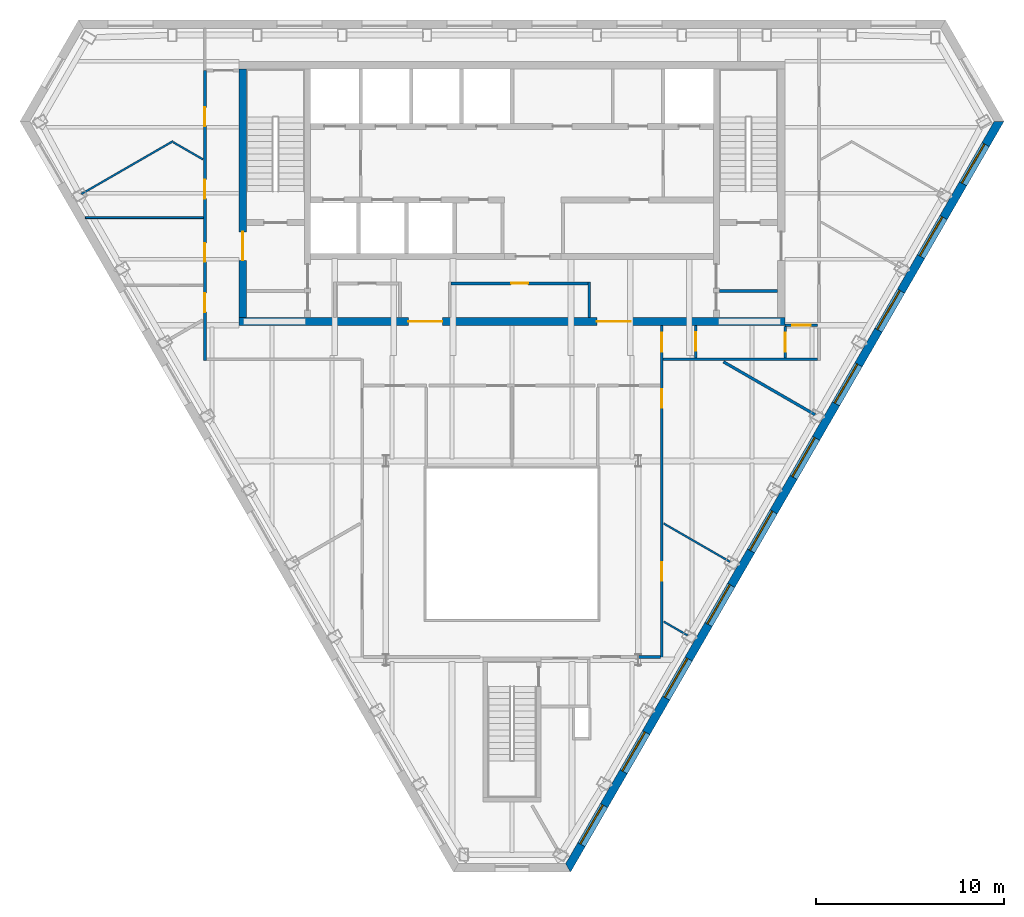
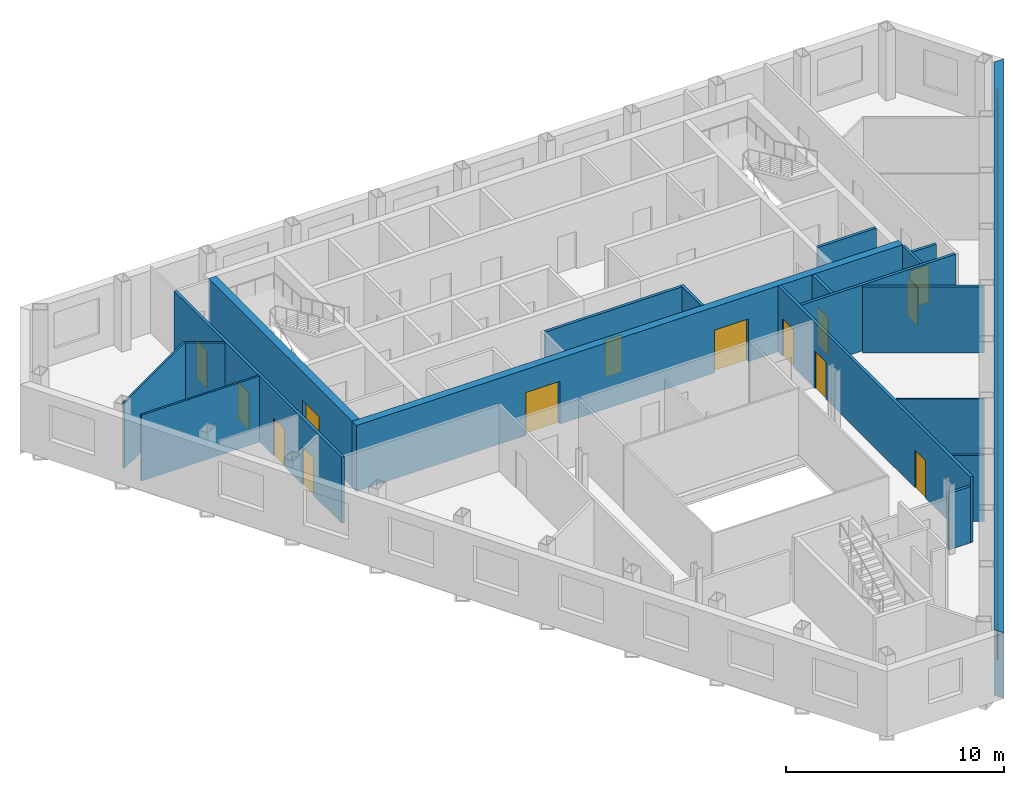
# One storey, part 5 of 10: 19 walls, 14 doors, 10 windows, 24 openings.
"""IFC4 building model written with IfcOpenShell, lengths in metres."""

from ifc_helpers import new_model, si_unit, direction, frame, frame_2d, origin, place, context, subcontext, project, spatial, polyline, rectangle, outline, extrude, material, layer, layer_set, type_object, element, fill, save


model = new_model("IFC4")

# Units and contexts
model_context = context("Model", 3, precision=1e-05, world=origin(), true_north=direction((0.0, 1.0)))
body_context = subcontext(model_context, "Body", "Model", "MODEL_VIEW")
ifc_project = project(units=[si_unit("LENGTHUNIT", "METRE"), si_unit("AREAUNIT", "SQUARE_METRE"), si_unit("VOLUMEUNIT", "CUBIC_METRE"), si_unit("PLANEANGLEUNIT", "RADIAN"), si_unit("MASSUNIT", "GRAM", prefix="KILO")], contexts=[model_context])

# Site, building, storey
site_placement = place(None, origin())
site = spatial("IfcSite", under=ifc_project, at=site_placement, CompositionType="ELEMENT")
building_placement = place(site_placement, origin())
building = spatial("IfcBuilding", under=site, at=building_placement, Name="Njiva Tower", CompositionType="ELEMENT")
storey_placement = place(building_placement, frame((0.0, 0.0, 245.4)))
storey = spatial("IfcBuildingStorey", under=building, at=storey_placement, Name="L55", CompositionType="ELEMENT", Elevation=245.4)

# Walls
ifc_material_1 = material(Name="Blockwork", Category="masonry")
ifc_layer_1 = layer(ifc_material_1, 0.15)
ifc_layer_set_1 = layer_set([ifc_layer_1], Name="Blockwork")
wall_type_1 = type_object("IfcWallType", Name="WT1 Compartment partition 150", PredefinedType="PARTITIONING", material=ifc_layer_set_1)
wall_1_placement = place(storey_placement, frame((11.0, 5.825, 0.0), z_axis=(0.0, 0.0, 1.0), x_axis=(1.0, 0.0, 0.0)))
element("IfcWall", 1, at=wall_1_placement, inside=storey, type_object=wall_type_1, Name="Room wall B", PredefinedType="PARTITIONING", context=body_context, shape_type="SweptSolid", body=[
    extrude(rectangle(XDim=3.1, YDim=0.15, at=frame_2d((1.55, 0.0))), origin(), (0.0, 0.0, 1.0), 3.7),
])
wall_2_placement = place(storey_placement, frame((4.1, 4.4, 0.0), z_axis=(0.0, 0.0, 1.0), x_axis=(0.0, 1.0, 0.0)))
element("IfcWall", 2, at=wall_2_placement, inside=storey, type_object=wall_type_1, Name="Parcel room wall east", PredefinedType="PARTITIONING", context=body_context, shape_type="SweptSolid", body=[
    extrude(rectangle(XDim=1.895, YDim=0.15, at=frame_2d((0.9475, 0.0))), origin(), (0.0, 0.0, 1.0), 3.7),
])

# Wall, opening, door
wall_3_placement = place(storey_placement, frame((-3.225, 6.22, 0.0), z_axis=(0.0, 0.0, 1.0), x_axis=(1.0, 0.0, 0.0)))
wall_3 = element("IfcWall", 3, at=wall_3_placement, inside=storey, type_object=wall_type_1, Name="Parcel room wall north", PredefinedType="PARTITIONING", context=body_context, shape_type="SweptSolid", body=[
    extrude(rectangle(XDim=7.25, YDim=0.15, at=frame_2d((3.625, 0.0))), origin(), (0.0, 0.0, 1.0), 3.7),
])
opening_1_placement = place(wall_3_placement, frame((3.175, 0.0, 0.0)))
opening_1 = element("IfcOpeningElement", 4, at=opening_1_placement, cuts=wall_3, Name="Opening S18-D924", PredefinedType="OPENING", context=body_context, shape_type="SweptSolid", body=[
    extrude(rectangle(XDim=0.9, YDim=2.1, at=frame_2d((0.45, 1.05))), frame((0.0, 0.085, 0.0), z_axis=(0.0, -1.0, 0.0), x_axis=(1.0, 0.0, 0.0)), (0.0, 0.0, 1.0), 0.17),
])
ifc_material_2 = material(Name="Steel fire door, painted", Category="steel")
door_type_1 = type_object("IfcDoorType", Name="D6 Fire-rated door 900x2100", OperationType="SINGLE_SWING_LEFT", PredefinedType="DOOR", material=ifc_material_2)
door_1_placement = place(opening_1_placement, origin())
door_1 = element("IfcDoor", 5, at=door_1_placement, inside=storey, type_object=door_type_1, Name="Parcel room door", OperationType="SINGLE_SWING_LEFT", OverallHeight=2.1, OverallWidth=0.9, PredefinedType="DOOR", context=body_context, shape_type="SweptSolid", body=[
    extrude(rectangle(XDim=0.9, YDim=2.1, at=frame_2d((0.45, 1.05))), frame((0.0, 0.025, 0.0), z_axis=(0.0, -1.0, 0.0), x_axis=(1.0, 0.0, 0.0)), (0.0, 0.0, 1.0), 0.05),
])
fill(opening_1, door_1)

# Wall, openings, doors
ifc_material_3 = material(Name="Concrete C60/75", Category="concrete")
ifc_layer_2 = layer(ifc_material_3, 0.4)
ifc_layer_set_2 = layer_set([ifc_layer_2], Name="Concrete C60/75")
wall_type_2 = type_object("IfcWallType", Name="WT11 Core wall 400", PredefinedType="SHEAR", material=ifc_layer_set_2)
wall_4_placement = place(storey_placement, frame((-14.5, 4.2, 0.0), z_axis=(0.0, 0.0, 1.0), x_axis=(1.0, 0.0, 0.0)))
wall_4 = element("IfcWall", 6, at=wall_4_placement, inside=storey, type_object=wall_type_2, Name="Core wall south", PredefinedType="SHEAR", context=body_context, shape_type="SweptSolid", body=[
    extrude(rectangle(XDim=29.0, YDim=0.4, at=frame_2d((14.5, 0.0))), origin(), (0.0, 0.0, 1.0), 3.7),
])
opening_2_placement = place(wall_4_placement, frame((9.0, 0.0, 0.0)))
opening_2 = element("IfcOpeningElement", 7, at=opening_2_placement, cuts=wall_4, Name="Opening S18-D926", PredefinedType="OPENING", context=body_context, shape_type="SweptSolid", body=[
    extrude(rectangle(XDim=1.8, YDim=2.4, at=frame_2d((0.9, 1.2))), frame((0.0, 0.21, 0.0), z_axis=(0.0, -1.0, 0.0), x_axis=(1.0, 0.0, 0.0)), (0.0, 0.0, 1.0), 0.42),
])
opening_3_placement = place(wall_4_placement, frame((19.0, 0.0, 0.0)))
opening_3 = element("IfcOpeningElement", 8, at=opening_3_placement, cuts=wall_4, Name="Opening S18-D927", PredefinedType="OPENING", context=body_context, shape_type="SweptSolid", body=[
    extrude(rectangle(XDim=1.8, YDim=2.4, at=frame_2d((0.9, 1.2))), frame((0.0, 0.21, 0.0), z_axis=(0.0, -1.0, 0.0), x_axis=(1.0, 0.0, 0.0)), (0.0, 0.0, 1.0), 0.42),
])
ifc_material_4 = material(Name="Steel and glass door", Category="steel")
door_type_2 = type_object("IfcDoorType", Name="D3 Core entrance door 1800x2400", OperationType="DOUBLE_DOOR_SINGLE_SWING", PredefinedType="DOOR", material=ifc_material_4)
door_2_placement = place(opening_2_placement, origin())
door_2 = element("IfcDoor", 9, at=door_2_placement, inside=storey, type_object=door_type_2, Name="Core entrance door", OperationType="DOUBLE_DOOR_SINGLE_SWING", OverallHeight=2.4, OverallWidth=1.8, PredefinedType="DOOR", context=body_context, shape_type="SweptSolid", body=[
    extrude(rectangle(XDim=1.8, YDim=2.4, at=frame_2d((0.9, 1.2))), frame((0.0, 0.025, 0.0), z_axis=(0.0, -1.0, 0.0), x_axis=(1.0, 0.0, 0.0)), (0.0, 0.0, 1.0), 0.05),
])
fill(opening_2, door_2)
door_3_placement = place(opening_3_placement, origin())
door_3 = element("IfcDoor", 10, at=door_3_placement, inside=storey, type_object=door_type_2, Name="Core entrance door", OperationType="DOUBLE_DOOR_SINGLE_SWING", OverallHeight=2.4, OverallWidth=1.8, PredefinedType="DOOR", context=body_context, shape_type="SweptSolid", body=[
    extrude(rectangle(XDim=1.8, YDim=2.4, at=frame_2d((0.9, 1.2))), frame((0.0, 0.025, 0.0), z_axis=(0.0, -1.0, 0.0), x_axis=(1.0, 0.0, 0.0)), (0.0, 0.0, 1.0), 0.05),
])
fill(opening_3, door_3)

# Wall, opening, door
wall_5_placement = place(storey_placement, frame((-14.3, 4.4, 0.0), z_axis=(0.0, 0.0, 1.0), x_axis=(0.0, 1.0, 0.0)))
wall_5 = element("IfcWall", 11, at=wall_5_placement, inside=storey, type_object=wall_type_2, Name="Core wall west", PredefinedType="SHEAR", context=body_context, shape_type="SweptSolid", body=[
    extrude(rectangle(XDim=13.2, YDim=0.4, at=frame_2d((6.6, 0.0))), origin(), (0.0, 0.0, 1.0), 3.7),
])
opening_4_placement = place(wall_5_placement, frame((3.05, 0.0, 0.0)))
opening_4 = element("IfcOpeningElement", 12, at=opening_4_placement, cuts=wall_5, Name="Opening S18-D916", PredefinedType="OPENING", context=body_context, shape_type="SweptSolid", body=[
    extrude(rectangle(XDim=1.5, YDim=2.1, at=frame_2d((0.75, 1.05))), frame((0.0, 0.21, 0.0), z_axis=(0.0, -1.0, 0.0), x_axis=(1.0, 0.0, 0.0)), (0.0, 0.0, 1.0), 0.42),
])
ifc_material_5 = material(Name="Glazed steel fire door", Category="steel")
door_type_3 = type_object("IfcDoorType", Name="D10 Exit door double 1500x2100 glazed", OperationType="DOUBLE_DOOR_SINGLE_SWING", PredefinedType="DOOR", material=ifc_material_5)
door_4_placement = place(opening_4_placement, origin())
door_4 = element("IfcDoor", 13, at=door_4_placement, inside=storey, type_object=door_type_3, Name="Stair A corridor door", OperationType="DOUBLE_DOOR_SINGLE_SWING", OverallHeight=2.1, OverallWidth=1.5, PredefinedType="DOOR", context=body_context, shape_type="SweptSolid", body=[
    extrude(rectangle(XDim=1.5, YDim=2.1, at=frame_2d((0.75, 1.05))), frame((0.0, 0.025, 0.0), z_axis=(0.0, -1.0, 0.0), x_axis=(1.0, 0.0, 0.0)), (0.0, 0.0, 1.0), 0.05),
])
fill(opening_4, door_4)

# Walls
ifc_material_6 = material(Name="Gypsum board on steel studs", Category="gypsum")
ifc_layer_3 = layer(ifc_material_6, 0.1)
ifc_layer_set_3 = layer_set([ifc_layer_3], Name="Gypsum board on steel studs")
wall_type_3 = type_object("IfcWallType", Name="WT20 Gypsum partition 100", PredefinedType="PARTITIONING", material=ifc_layer_set_3)
wall_6_placement = place(storey_placement, frame((-22.846, 10.969, 0.0), z_axis=(0.0, 0.0, 1.0), x_axis=(0.866182615826, 0.499727601839, 0.0)))
element("IfcWall", 14, at=wall_6_placement, inside=storey, type_object=wall_type_3, Name="Partition S18-P001", PredefinedType="PARTITIONING", context=body_context, shape_type="SweptSolid", body=[
    extrude(rectangle(XDim=5.6051, YDim=0.1, at=frame_2d((2.8026, 0.0))), origin(), (0.0, 0.0, 1.0), 3.7),
])
wall_7_placement = place(storey_placement, frame((-22.638, 9.711, 0.0), z_axis=(0.0, 0.0, 1.0), x_axis=(1.0, 0.0, 0.0)))
element("IfcWall", 15, at=wall_7_placement, inside=storey, type_object=wall_type_3, Name="Partition S18-P002", PredefinedType="PARTITIONING", context=body_context, shape_type="SweptSolid", body=[
    extrude(rectangle(XDim=6.263, YDim=0.1, at=frame_2d((3.1315, 0.0))), origin(), (0.0, 0.0, 1.0), 3.7),
])
wall_8_placement = place(storey_placement, frame((-17.975, 13.711, 0.0), z_axis=(0.0, 0.0, 1.0), x_axis=(0.866341220787, -0.499452589508, 0.0)))
element("IfcWall", 16, at=wall_8_placement, inside=storey, type_object=wall_type_3, Name="Partition S18-P005", PredefinedType="PARTITIONING", context=body_context, shape_type="SweptSolid", body=[
    extrude(rectangle(XDim=1.818, YDim=0.1, at=frame_2d((0.909, 0.0))), origin(), (0.0, 0.0, 1.0), 3.7),
])
wall_9_placement = place(storey_placement, frame((8.05, -6.52, 0.0), z_axis=(0.0, 0.0, 1.0), x_axis=(0.865980959039, -0.500076972657, 0.0)))
element("IfcWall", 17, at=wall_9_placement, inside=storey, type_object=wall_type_3, Name="Partition S18-P023", PredefinedType="PARTITIONING", context=body_context, shape_type="SweptSolid", body=[
    extrude(rectangle(XDim=4.0694, YDim=0.1, at=frame_2d((2.0347, 0.0))), origin(), (0.0, 0.0, 1.0), 3.7),
])
wall_10_placement = place(storey_placement, frame((8.05, -11.727, 0.0), z_axis=(0.0, 0.0, 1.0), x_axis=(0.865924183809, -0.500175277173, 0.0)))
element("IfcWall", 18, at=wall_10_placement, inside=storey, type_object=wall_type_3, Name="Partition S18-P024", PredefinedType="PARTITIONING", context=body_context, shape_type="SweptSolid", body=[
    extrude(rectangle(XDim=1.4655, YDim=0.1, at=frame_2d((0.7328, 0.0))), origin(), (0.0, 0.0, 1.0), 3.7),
])

# Wall, openings, doors
ifc_layer_4 = layer(ifc_material_6, 0.15)
ifc_layer_set_4 = layer_set([ifc_layer_4], Name="Gypsum board on steel studs")
wall_type_4 = type_object("IfcWallType", Name="WT21 Compartment wall 150", PredefinedType="PARTITIONING", material=ifc_layer_set_4)
wall_11_placement = place(storey_placement, frame((-16.3, 2.125, 0.0), z_axis=(0.0, 0.0, 1.0), x_axis=(0.0, 1.0, 0.0)))
wall_11 = element("IfcWall", 19, at=wall_11_placement, inside=storey, type_object=wall_type_4, Name="Partition S18-P006", PredefinedType="PARTITIONING", context=body_context, shape_type="SweptSolid", body=[
    extrude(rectangle(XDim=15.406, YDim=0.15, at=frame_2d((7.703, 0.0))), origin(), (0.0, 0.0, 1.0), 3.7),
])
opening_5_placement = place(wall_11_placement, frame((2.576, 0.0, 0.0)))
opening_5 = element("IfcOpeningElement", 20, at=opening_5_placement, cuts=wall_11, Name="Opening S18-D001", PredefinedType="OPENING", context=body_context, shape_type="SweptSolid", body=[
    extrude(rectangle(XDim=1.0, YDim=2.1, at=frame_2d((0.5, 1.05))), frame((0.0, 0.085, 0.0), z_axis=(0.0, -1.0, 0.0), x_axis=(1.0, 0.0, 0.0)), (0.0, 0.0, 1.0), 0.17),
])
opening_6_placement = place(wall_11_placement, frame((5.24, 0.0, 0.0)))
opening_6 = element("IfcOpeningElement", 21, at=opening_6_placement, cuts=wall_11, Name="Opening S18-D002", PredefinedType="OPENING", context=body_context, shape_type="SweptSolid", body=[
    extrude(rectangle(XDim=1.0, YDim=2.1, at=frame_2d((0.5, 1.05))), frame((0.0, 0.085, 0.0), z_axis=(0.0, -1.0, 0.0), x_axis=(1.0, 0.0, 0.0)), (0.0, 0.0, 1.0), 0.17),
])
opening_7_placement = place(wall_11_placement, frame((8.602, 0.0, 0.0)))
opening_7 = element("IfcOpeningElement", 22, at=opening_7_placement, cuts=wall_11, Name="Opening S18-D003", PredefinedType="OPENING", context=body_context, shape_type="SweptSolid", body=[
    extrude(rectangle(XDim=1.0, YDim=2.1, at=frame_2d((0.5, 1.05))), frame((0.0, 0.085, 0.0), z_axis=(0.0, -1.0, 0.0), x_axis=(1.0, 0.0, 0.0)), (0.0, 0.0, 1.0), 0.17),
])
opening_8_placement = place(wall_11_placement, frame((12.438, 0.0, 0.0)))
opening_8 = element("IfcOpeningElement", 23, at=opening_8_placement, cuts=wall_11, Name="Opening S18-D004", PredefinedType="OPENING", context=body_context, shape_type="SweptSolid", body=[
    extrude(rectangle(XDim=1.0, YDim=2.1, at=frame_2d((0.5, 1.05))), frame((0.0, 0.085, 0.0), z_axis=(0.0, -1.0, 0.0), x_axis=(1.0, 0.0, 0.0)), (0.0, 0.0, 1.0), 0.17),
])
ifc_material_7 = material(Name="Steel fire door set", Category="steel")
door_type_4 = type_object("IfcDoorType", Name="D37 Fire door 1000x2100", OperationType="SINGLE_SWING_LEFT", PredefinedType="DOOR", material=ifc_material_7)
door_5_placement = place(opening_5_placement, origin())
door_5 = element("IfcDoor", 24, at=door_5_placement, inside=storey, type_object=door_type_4, Name="Door S18-D001", OperationType="SINGLE_SWING_RIGHT", OverallHeight=2.1, OverallWidth=1.0, PredefinedType="DOOR", context=body_context, shape_type="SweptSolid", body=[
    extrude(rectangle(XDim=1.0, YDim=2.1, at=frame_2d((0.5, 1.05))), frame((0.0, 0.025, 0.0), z_axis=(0.0, -1.0, 0.0), x_axis=(1.0, 0.0, 0.0)), (0.0, 0.0, 1.0), 0.05),
])
fill(opening_5, door_5)
door_6_placement = place(opening_6_placement, origin())
door_6 = element("IfcDoor", 25, at=door_6_placement, inside=storey, type_object=door_type_4, Name="Door S18-D002", OperationType="SINGLE_SWING_RIGHT", OverallHeight=2.1, OverallWidth=1.0, PredefinedType="DOOR", context=body_context, shape_type="SweptSolid", body=[
    extrude(rectangle(XDim=1.0, YDim=2.1, at=frame_2d((0.5, 1.05))), frame((0.0, 0.025, 0.0), z_axis=(0.0, -1.0, 0.0), x_axis=(1.0, 0.0, 0.0)), (0.0, 0.0, 1.0), 0.05),
])
fill(opening_6, door_6)
door_7_placement = place(opening_7_placement, origin())
door_7 = element("IfcDoor", 26, at=door_7_placement, inside=storey, type_object=door_type_4, Name="Door S18-D003", OperationType="SINGLE_SWING_LEFT", OverallHeight=2.1, OverallWidth=1.0, PredefinedType="DOOR", context=body_context, shape_type="SweptSolid", body=[
    extrude(rectangle(XDim=1.0, YDim=2.1, at=frame_2d((0.5, 1.05))), frame((0.0, 0.025, 0.0), z_axis=(0.0, -1.0, 0.0), x_axis=(1.0, 0.0, 0.0)), (0.0, 0.0, 1.0), 0.05),
])
fill(opening_7, door_7)
door_8_placement = place(opening_8_placement, origin())
door_8 = element("IfcDoor", 27, at=door_8_placement, inside=storey, type_object=door_type_4, Name="Door S18-D004", OperationType="SINGLE_SWING_LEFT", OverallHeight=2.1, OverallWidth=1.0, PredefinedType="DOOR", context=body_context, shape_type="SweptSolid", body=[
    extrude(rectangle(XDim=1.0, YDim=2.1, at=frame_2d((0.5, 1.05))), frame((0.0, 0.025, 0.0), z_axis=(0.0, -1.0, 0.0), x_axis=(1.0, 0.0, 0.0)), (0.0, 0.0, 1.0), 0.05),
])
fill(opening_8, door_8)

# Wall
wall_12_placement = place(storey_placement, frame((6.7, -13.6, 0.0), z_axis=(0.0, 0.0, 1.0), x_axis=(1.0, 0.0, 0.0)))
element("IfcWall", 28, at=wall_12_placement, inside=storey, type_object=wall_type_4, Name="Partition S18-P018A", PredefinedType="PARTITIONING", context=body_context, shape_type="SweptSolid", body=[
    extrude(rectangle(XDim=1.175, YDim=0.15, at=frame_2d((0.5875, 0.0))), origin(), (0.0, 0.0, 1.0), 3.16),
])

# Wall, openings, doors
wall_13_placement = place(storey_placement, frame((7.95, -13.675, 0.0), z_axis=(0.0, 0.0, 1.0), x_axis=(0.0, 1.0, 0.0)))
wall_13 = element("IfcWall", 29, at=wall_13_placement, inside=storey, type_object=wall_type_4, Name="Partition S18-P021", PredefinedType="PARTITIONING", context=body_context, shape_type="SweptSolid", body=[
    extrude(rectangle(XDim=17.675, YDim=0.15, at=frame_2d((8.8375, 0.0))), origin(), (0.0, 0.0, 1.0), 3.7),
])
opening_9_placement = place(wall_13_placement, frame((4.109, 0.0, 0.0)))
opening_9 = element("IfcOpeningElement", 30, at=opening_9_placement, cuts=wall_13, Name="Opening S18-D014", PredefinedType="OPENING", context=body_context, shape_type="SweptSolid", body=[
    extrude(rectangle(XDim=1.0, YDim=2.1, at=frame_2d((0.5, 1.05))), frame((0.0, 0.085, 0.0), z_axis=(0.0, -1.0, 0.0), x_axis=(1.0, 0.0, 0.0)), (0.0, 0.0, 1.0), 0.17),
])
opening_10_placement = place(wall_13_placement, frame((13.287, 0.0, 0.0)))
opening_10 = element("IfcOpeningElement", 31, at=opening_10_placement, cuts=wall_13, Name="Opening S18-D015", PredefinedType="OPENING", context=body_context, shape_type="SweptSolid", body=[
    extrude(rectangle(XDim=1.0, YDim=2.1, at=frame_2d((0.5, 1.05))), frame((0.0, 0.085, 0.0), z_axis=(0.0, -1.0, 0.0), x_axis=(1.0, 0.0, 0.0)), (0.0, 0.0, 1.0), 0.17),
])
opening_11_placement = place(wall_13_placement, frame((16.275, 0.0, 0.0)))
opening_11 = element("IfcOpeningElement", 32, at=opening_11_placement, cuts=wall_13, Name="Opening S18-D016", PredefinedType="OPENING", context=body_context, shape_type="SweptSolid", body=[
    extrude(rectangle(XDim=1.0, YDim=2.1, at=frame_2d((0.5, 1.05))), frame((0.0, 0.085, 0.0), z_axis=(0.0, -1.0, 0.0), x_axis=(1.0, 0.0, 0.0)), (0.0, 0.0, 1.0), 0.17),
])
door_9_placement = place(opening_9_placement, origin())
door_9 = element("IfcDoor", 33, at=door_9_placement, inside=storey, type_object=door_type_4, Name="Door S18-D014", OperationType="SINGLE_SWING_LEFT", OverallHeight=2.1, OverallWidth=1.0, PredefinedType="DOOR", context=body_context, shape_type="SweptSolid", body=[
    extrude(rectangle(XDim=1.0, YDim=2.1, at=frame_2d((0.5, 1.05))), frame((0.0, 0.025, 0.0), z_axis=(0.0, -1.0, 0.0), x_axis=(1.0, 0.0, 0.0)), (0.0, 0.0, 1.0), 0.05),
])
fill(opening_9, door_9)
door_10_placement = place(opening_10_placement, origin())
door_10 = element("IfcDoor", 34, at=door_10_placement, inside=storey, type_object=door_type_4, Name="Door S18-D015", OperationType="SINGLE_SWING_RIGHT", OverallHeight=2.1, OverallWidth=1.0, PredefinedType="DOOR", context=body_context, shape_type="SweptSolid", body=[
    extrude(rectangle(XDim=1.0, YDim=2.1, at=frame_2d((0.5, 1.05))), frame((0.0, 0.025, 0.0), z_axis=(0.0, -1.0, 0.0), x_axis=(1.0, 0.0, 0.0)), (0.0, 0.0, 1.0), 0.05),
])
fill(opening_10, door_10)
door_11_placement = place(opening_11_placement, origin())
door_11 = element("IfcDoor", 35, at=door_11_placement, inside=storey, type_object=door_type_4, Name="Door S18-D016", OperationType="SINGLE_SWING_RIGHT", OverallHeight=2.1, OverallWidth=1.0, PredefinedType="DOOR", context=body_context, shape_type="SweptSolid", body=[
    extrude(rectangle(XDim=1.0, YDim=2.1, at=frame_2d((0.5, 1.05))), frame((0.0, 0.025, 0.0), z_axis=(0.0, -1.0, 0.0), x_axis=(1.0, 0.0, 0.0)), (0.0, 0.0, 1.0), 0.05),
])
fill(opening_11, door_11)

# Wall
wall_14_placement = place(storey_placement, frame((8.025, 2.2, 0.0), z_axis=(0.0, 0.0, 1.0), x_axis=(1.0, 0.0, 0.0)))
element("IfcWall", 36, at=wall_14_placement, inside=storey, type_object=wall_type_4, Name="Partition S18-P022", PredefinedType="PARTITIONING", context=body_context, shape_type="SweptSolid", body=[
    extrude(rectangle(XDim=8.2, YDim=0.15, at=frame_2d((4.1, 0.0))), origin(), (0.0, 0.0, 1.0), 3.7),
])

# Wall, opening, door
wall_15_placement = place(storey_placement, frame((9.75, 2.275, 0.0), z_axis=(0.0, 0.0, 1.0), x_axis=(0.0, 1.0, 0.0)))
wall_15 = element("IfcWall", 37, at=wall_15_placement, inside=storey, type_object=wall_type_4, Name="Partition S18-P025", PredefinedType="PARTITIONING", context=body_context, shape_type="SweptSolid", body=[
    extrude(rectangle(XDim=1.725, YDim=0.15, at=frame_2d((0.8625, 0.0))), origin(), (0.0, 0.0, 1.0), 3.7),
])
opening_12_placement = place(wall_15_placement, frame((0.362, 0.0, 0.0)))
opening_12 = element("IfcOpeningElement", 38, at=opening_12_placement, cuts=wall_15, Name="Opening S18-D017", PredefinedType="OPENING", context=body_context, shape_type="SweptSolid", body=[
    extrude(rectangle(XDim=1.0, YDim=2.1, at=frame_2d((0.5, 1.05))), frame((0.0, 0.085, 0.0), z_axis=(0.0, -1.0, 0.0), x_axis=(1.0, 0.0, 0.0)), (0.0, 0.0, 1.0), 0.17),
])
door_12_placement = place(opening_12_placement, origin())
door_12 = element("IfcDoor", 39, at=door_12_placement, inside=storey, type_object=door_type_4, Name="Door S18-D017", OperationType="SINGLE_SWING_LEFT", OverallHeight=2.1, OverallWidth=1.0, PredefinedType="DOOR", context=body_context, shape_type="SweptSolid", body=[
    extrude(rectangle(XDim=1.0, YDim=2.1, at=frame_2d((0.5, 1.05))), frame((0.0, 0.025, 0.0), z_axis=(0.0, -1.0, 0.0), x_axis=(1.0, 0.0, 0.0)), (0.0, 0.0, 1.0), 0.05),
])
fill(opening_12, door_12)

# Wall
wall_16_placement = place(storey_placement, frame((11.221, 2.06, 0.0), z_axis=(0.0, 0.0, 1.0), x_axis=(0.866108468144, -0.499856100702, 0.0)))
element("IfcWall", 40, at=wall_16_placement, inside=storey, type_object=wall_type_4, Name="Partition S18-P026", PredefinedType="PARTITIONING", context=body_context, shape_type="SweptSolid", body=[
    extrude(rectangle(XDim=5.6136, YDim=0.15, at=frame_2d((2.8068, 0.0))), origin(), (0.0, 0.0, 1.0), 3.7),
])

# Wall, opening, door
wall_17_placement = place(storey_placement, frame((14.5, 2.275, 0.0), z_axis=(0.0, 0.0, 1.0), x_axis=(0.0, 1.0, 0.0)))
wall_17 = element("IfcWall", 41, at=wall_17_placement, inside=storey, type_object=wall_type_4, Name="Partition S18-P028", PredefinedType="PARTITIONING", context=body_context, shape_type="SweptSolid", body=[
    extrude(rectangle(XDim=1.65, YDim=0.15, at=frame_2d((0.825, 0.0))), origin(), (0.0, 0.0, 1.0), 3.7),
])
opening_13_placement = place(wall_17_placement, frame((0.325, 0.0, 0.0)))
opening_13 = element("IfcOpeningElement", 42, at=opening_13_placement, cuts=wall_17, Name="Opening S18-D018", PredefinedType="OPENING", context=body_context, shape_type="SweptSolid", body=[
    extrude(rectangle(XDim=1.0, YDim=2.1, at=frame_2d((0.5, 1.05))), frame((0.0, 0.085, 0.0), z_axis=(0.0, -1.0, 0.0), x_axis=(1.0, 0.0, 0.0)), (0.0, 0.0, 1.0), 0.17),
])
door_13_placement = place(opening_13_placement, origin())
door_13 = element("IfcDoor", 43, at=door_13_placement, inside=storey, type_object=door_type_4, Name="Door S18-D018", OperationType="SINGLE_SWING_LEFT", OverallHeight=2.1, OverallWidth=1.0, PredefinedType="DOOR", context=body_context, shape_type="SweptSolid", body=[
    extrude(rectangle(XDim=1.0, YDim=2.1, at=frame_2d((0.5, 1.05))), frame((0.0, 0.025, 0.0), z_axis=(0.0, -1.0, 0.0), x_axis=(1.0, 0.0, 0.0)), (0.0, 0.0, 1.0), 0.05),
])
fill(opening_13, door_13)

wall_18_placement = place(storey_placement, frame((14.5, 4.0, 0.0), z_axis=(0.0, 0.0, 1.0), x_axis=(1.0, 0.0, 0.0)))
wall_18 = element("IfcWall", 44, at=wall_18_placement, inside=storey, type_object=wall_type_4, Name="Partition S18-P029", PredefinedType="PARTITIONING", context=body_context, shape_type="SweptSolid", body=[
    extrude(rectangle(XDim=1.725, YDim=0.15, at=frame_2d((0.8625, 0.0))), origin(), (0.0, 0.0, 1.0), 3.16),
])
opening_14_placement = place(wall_18_placement, frame((0.363, 0.0, 0.0)))
opening_14 = element("IfcOpeningElement", 45, at=opening_14_placement, cuts=wall_18, Name="Opening S18-D019", PredefinedType="OPENING", context=body_context, shape_type="SweptSolid", body=[
    extrude(rectangle(XDim=1.0, YDim=2.1, at=frame_2d((0.5, 1.05))), frame((0.0, 0.085, 0.0), z_axis=(0.0, -1.0, 0.0), x_axis=(1.0, 0.0, 0.0)), (0.0, 0.0, 1.0), 0.17),
])
door_14_placement = place(opening_14_placement, origin())
door_14 = element("IfcDoor", 46, at=door_14_placement, inside=storey, type_object=door_type_4, Name="Door S18-D019", OperationType="SINGLE_SWING_LEFT", OverallHeight=2.1, OverallWidth=1.0, PredefinedType="DOOR", context=body_context, shape_type="SweptSolid", body=[
    extrude(rectangle(XDim=1.0, YDim=2.1, at=frame_2d((0.5, 1.05))), frame((0.0, 0.025, 0.0), z_axis=(0.0, -1.0, 0.0), x_axis=(1.0, 0.0, 0.0)), (0.0, 0.0, 1.0), 0.05),
])
fill(opening_14, door_14)

# Wall, openings, windows
ifc_material_8 = material(Name="Brick masonry", Category="masonry")
ifc_layer_5 = layer(ifc_material_8, 0.45)
ifc_layer_set_5 = layer_set([ifc_layer_5], Name="Brick masonry")
wall_type_5 = type_object("IfcWallType", Name="WT90 Brick pier and spandrel wall 450", PredefinedType="SOLIDWALL", material=ifc_layer_set_5)
wall_19_placement = place(storey_placement, frame((2.9751, -24.7988, -0.18), z_axis=(0.0, 0.0, 1.0), x_axis=(0.500000335318, 0.866025210188, 0.0)))
wall_19 = element("IfcWall", 47, at=wall_19_placement, inside=storey, type_object=wall_type_5, Name="Facade wall SE", PredefinedType="SOLIDWALL", context=body_context, shape_type="SweptSolid", body=[
    extrude(outline(polyline([(-0.1299, -0.225), (45.8801, -0.225), (45.6203, 0.225), (0.1299, 0.225), (-0.1299, -0.225)])), origin(), (0.0, 0.0, 1.0), 3.68),
])
opening_15_placement = place(wall_19_placement, frame((1.4247, 0.0, 1.08)))
opening_15 = element("IfcOpeningElement", 48, at=opening_15_placement, cuts=wall_19, Name="Opening S18-W19", PredefinedType="OPENING", context=body_context, shape_type="SweptSolid", body=[
    extrude(rectangle(XDim=2.4, YDim=2.0, at=frame_2d((1.2, 1.0))), frame((0.0, 0.235, 0.0), z_axis=(0.0, -1.0, 0.0), x_axis=(1.0, 0.0, 0.0)), (0.0, 0.0, 1.0), 0.47),
])
opening_16_placement = place(wall_19_placement, frame((5.8949, 0.0, 1.08)))
opening_16 = element("IfcOpeningElement", 49, at=opening_16_placement, cuts=wall_19, Name="Opening S18-W20", PredefinedType="OPENING", context=body_context, shape_type="SweptSolid", body=[
    extrude(rectangle(XDim=2.4, YDim=2.0, at=frame_2d((1.2, 1.0))), frame((0.0, 0.235, 0.0), z_axis=(0.0, -1.0, 0.0), x_axis=(1.0, 0.0, 0.0)), (0.0, 0.0, 1.0), 0.47),
])
opening_17_placement = place(wall_19_placement, frame((10.4035, 0.0, 1.08)))
opening_17 = element("IfcOpeningElement", 50, at=opening_17_placement, cuts=wall_19, Name="Opening S18-W21", PredefinedType="OPENING", context=body_context, shape_type="SweptSolid", body=[
    extrude(rectangle(XDim=2.4, YDim=2.0, at=frame_2d((1.2, 1.0))), frame((0.0, 0.235, 0.0), z_axis=(0.0, -1.0, 0.0), x_axis=(1.0, 0.0, 0.0)), (0.0, 0.0, 1.0), 0.47),
])
opening_18_placement = place(wall_19_placement, frame((14.9122, 0.0, 1.08)))
opening_18 = element("IfcOpeningElement", 51, at=opening_18_placement, cuts=wall_19, Name="Opening S18-W22", PredefinedType="OPENING", context=body_context, shape_type="SweptSolid", body=[
    extrude(rectangle(XDim=2.4, YDim=2.0, at=frame_2d((1.2, 1.0))), frame((0.0, 0.235, 0.0), z_axis=(0.0, -1.0, 0.0), x_axis=(1.0, 0.0, 0.0)), (0.0, 0.0, 1.0), 0.47),
])
opening_19_placement = place(wall_19_placement, frame((19.4208, 0.0, 1.08)))
opening_19 = element("IfcOpeningElement", 52, at=opening_19_placement, cuts=wall_19, Name="Opening S18-W23", PredefinedType="OPENING", context=body_context, shape_type="SweptSolid", body=[
    extrude(rectangle(XDim=2.4, YDim=2.0, at=frame_2d((1.2, 1.0))), frame((0.0, 0.235, 0.0), z_axis=(0.0, -1.0, 0.0), x_axis=(1.0, 0.0, 0.0)), (0.0, 0.0, 1.0), 0.47),
])
opening_20_placement = place(wall_19_placement, frame((23.9294, 0.0, 1.08)))
opening_20 = element("IfcOpeningElement", 53, at=opening_20_placement, cuts=wall_19, Name="Opening S18-W24", PredefinedType="OPENING", context=body_context, shape_type="SweptSolid", body=[
    extrude(rectangle(XDim=2.4, YDim=2.0, at=frame_2d((1.2, 1.0))), frame((0.0, 0.235, 0.0), z_axis=(0.0, -1.0, 0.0), x_axis=(1.0, 0.0, 0.0)), (0.0, 0.0, 1.0), 0.47),
])
opening_21_placement = place(wall_19_placement, frame((28.438, 0.0, 1.08)))
opening_21 = element("IfcOpeningElement", 54, at=opening_21_placement, cuts=wall_19, Name="Opening S18-W25", PredefinedType="OPENING", context=body_context, shape_type="SweptSolid", body=[
    extrude(rectangle(XDim=2.4, YDim=2.0, at=frame_2d((1.2, 1.0))), frame((0.0, 0.235, 0.0), z_axis=(0.0, -1.0, 0.0), x_axis=(1.0, 0.0, 0.0)), (0.0, 0.0, 1.0), 0.47),
])
opening_22_placement = place(wall_19_placement, frame((32.9466, 0.0, 1.08)))
opening_22 = element("IfcOpeningElement", 55, at=opening_22_placement, cuts=wall_19, Name="Opening S18-W26", PredefinedType="OPENING", context=body_context, shape_type="SweptSolid", body=[
    extrude(rectangle(XDim=2.4, YDim=2.0, at=frame_2d((1.2, 1.0))), frame((0.0, 0.235, 0.0), z_axis=(0.0, -1.0, 0.0), x_axis=(1.0, 0.0, 0.0)), (0.0, 0.0, 1.0), 0.47),
])
opening_23_placement = place(wall_19_placement, frame((37.4553, 0.0, 1.08)))
opening_23 = element("IfcOpeningElement", 56, at=opening_23_placement, cuts=wall_19, Name="Opening S18-W27", PredefinedType="OPENING", context=body_context, shape_type="SweptSolid", body=[
    extrude(rectangle(XDim=2.4, YDim=2.0, at=frame_2d((1.2, 1.0))), frame((0.0, 0.235, 0.0), z_axis=(0.0, -1.0, 0.0), x_axis=(1.0, 0.0, 0.0)), (0.0, 0.0, 1.0), 0.47),
])
opening_24_placement = place(wall_19_placement, frame((41.9255, 0.0, 1.08)))
opening_24 = element("IfcOpeningElement", 57, at=opening_24_placement, cuts=wall_19, Name="Opening S18-W28", PredefinedType="OPENING", context=body_context, shape_type="SweptSolid", body=[
    extrude(rectangle(XDim=2.4, YDim=2.0, at=frame_2d((1.2, 1.0))), frame((0.0, 0.235, 0.0), z_axis=(0.0, -1.0, 0.0), x_axis=(1.0, 0.0, 0.0)), (0.0, 0.0, 1.0), 0.47),
])
ifc_material_9 = material(Name="Clear glazing in aluminium frame", Category="aluminium")
window_type = type_object("IfcWindowType", Name="W90 Deep-set window 2400x2000", PartitioningType="SINGLE_PANEL", PredefinedType="WINDOW", material=ifc_material_9)
window_1_placement = place(opening_15_placement, origin())
window_1 = element("IfcWindow", 58, at=window_1_placement, inside=storey, type_object=window_type, Name="Window", OverallHeight=2.0, OverallWidth=2.4, PartitioningType="SINGLE_PANEL", PredefinedType="WINDOW", context=body_context, shape_type="SweptSolid", body=[
    extrude(rectangle(XDim=2.4, YDim=2.0, at=frame_2d((1.2, 1.0))), frame((0.0, 0.105, 0.0), z_axis=(0.0, -1.0, 0.0), x_axis=(1.0, 0.0, 0.0)), (0.0, 0.0, 1.0), 0.06),
])
fill(opening_15, window_1)
window_2_placement = place(opening_16_placement, origin())
window_2 = element("IfcWindow", 59, at=window_2_placement, inside=storey, type_object=window_type, Name="Window", OverallHeight=2.0, OverallWidth=2.4, PartitioningType="SINGLE_PANEL", PredefinedType="WINDOW", context=body_context, shape_type="SweptSolid", body=[
    extrude(rectangle(XDim=2.4, YDim=2.0, at=frame_2d((1.2, 1.0))), frame((0.0, 0.105, 0.0), z_axis=(0.0, -1.0, 0.0), x_axis=(1.0, 0.0, 0.0)), (0.0, 0.0, 1.0), 0.06),
])
fill(opening_16, window_2)
window_3_placement = place(opening_17_placement, origin())
window_3 = element("IfcWindow", 60, at=window_3_placement, inside=storey, type_object=window_type, Name="Window", OverallHeight=2.0, OverallWidth=2.4, PartitioningType="SINGLE_PANEL", PredefinedType="WINDOW", context=body_context, shape_type="SweptSolid", body=[
    extrude(rectangle(XDim=2.4, YDim=2.0, at=frame_2d((1.2, 1.0))), frame((0.0, 0.105, 0.0), z_axis=(0.0, -1.0, 0.0), x_axis=(1.0, 0.0, 0.0)), (0.0, 0.0, 1.0), 0.06),
])
fill(opening_17, window_3)
window_4_placement = place(opening_18_placement, origin())
window_4 = element("IfcWindow", 61, at=window_4_placement, inside=storey, type_object=window_type, Name="Window", OverallHeight=2.0, OverallWidth=2.4, PartitioningType="SINGLE_PANEL", PredefinedType="WINDOW", context=body_context, shape_type="SweptSolid", body=[
    extrude(rectangle(XDim=2.4, YDim=2.0, at=frame_2d((1.2, 1.0))), frame((0.0, 0.105, 0.0), z_axis=(0.0, -1.0, 0.0), x_axis=(1.0, 0.0, 0.0)), (0.0, 0.0, 1.0), 0.06),
])
fill(opening_18, window_4)
window_5_placement = place(opening_19_placement, origin())
window_5 = element("IfcWindow", 62, at=window_5_placement, inside=storey, type_object=window_type, Name="Window", OverallHeight=2.0, OverallWidth=2.4, PartitioningType="SINGLE_PANEL", PredefinedType="WINDOW", context=body_context, shape_type="SweptSolid", body=[
    extrude(rectangle(XDim=2.4, YDim=2.0, at=frame_2d((1.2, 1.0))), frame((0.0, 0.105, 0.0), z_axis=(0.0, -1.0, 0.0), x_axis=(1.0, 0.0, 0.0)), (0.0, 0.0, 1.0), 0.06),
])
fill(opening_19, window_5)
window_6_placement = place(opening_20_placement, origin())
window_6 = element("IfcWindow", 63, at=window_6_placement, inside=storey, type_object=window_type, Name="Window", OverallHeight=2.0, OverallWidth=2.4, PartitioningType="SINGLE_PANEL", PredefinedType="WINDOW", context=body_context, shape_type="SweptSolid", body=[
    extrude(rectangle(XDim=2.4, YDim=2.0, at=frame_2d((1.2, 1.0))), frame((0.0, 0.105, 0.0), z_axis=(0.0, -1.0, 0.0), x_axis=(1.0, 0.0, 0.0)), (0.0, 0.0, 1.0), 0.06),
])
fill(opening_20, window_6)
window_7_placement = place(opening_21_placement, origin())
window_7 = element("IfcWindow", 64, at=window_7_placement, inside=storey, type_object=window_type, Name="Window", OverallHeight=2.0, OverallWidth=2.4, PartitioningType="SINGLE_PANEL", PredefinedType="WINDOW", context=body_context, shape_type="SweptSolid", body=[
    extrude(rectangle(XDim=2.4, YDim=2.0, at=frame_2d((1.2, 1.0))), frame((0.0, 0.105, 0.0), z_axis=(0.0, -1.0, 0.0), x_axis=(1.0, 0.0, 0.0)), (0.0, 0.0, 1.0), 0.06),
])
fill(opening_21, window_7)
window_8_placement = place(opening_22_placement, origin())
window_8 = element("IfcWindow", 65, at=window_8_placement, inside=storey, type_object=window_type, Name="Window", OverallHeight=2.0, OverallWidth=2.4, PartitioningType="SINGLE_PANEL", PredefinedType="WINDOW", context=body_context, shape_type="SweptSolid", body=[
    extrude(rectangle(XDim=2.4, YDim=2.0, at=frame_2d((1.2, 1.0))), frame((0.0, 0.105, 0.0), z_axis=(0.0, -1.0, 0.0), x_axis=(1.0, 0.0, 0.0)), (0.0, 0.0, 1.0), 0.06),
])
fill(opening_22, window_8)
window_9_placement = place(opening_23_placement, origin())
window_9 = element("IfcWindow", 66, at=window_9_placement, inside=storey, type_object=window_type, Name="Window", OverallHeight=2.0, OverallWidth=2.4, PartitioningType="SINGLE_PANEL", PredefinedType="WINDOW", context=body_context, shape_type="SweptSolid", body=[
    extrude(rectangle(XDim=2.4, YDim=2.0, at=frame_2d((1.2, 1.0))), frame((0.0, 0.105, 0.0), z_axis=(0.0, -1.0, 0.0), x_axis=(1.0, 0.0, 0.0)), (0.0, 0.0, 1.0), 0.06),
])
fill(opening_23, window_9)
window_10_placement = place(opening_24_placement, origin())
window_10 = element("IfcWindow", 67, at=window_10_placement, inside=storey, type_object=window_type, Name="Window", OverallHeight=2.0, OverallWidth=2.4, PartitioningType="SINGLE_PANEL", PredefinedType="WINDOW", context=body_context, shape_type="SweptSolid", body=[
    extrude(rectangle(XDim=2.4, YDim=2.0, at=frame_2d((1.2, 1.0))), frame((0.0, 0.105, 0.0), z_axis=(0.0, -1.0, 0.0), x_axis=(1.0, 0.0, 0.0)), (0.0, 0.0, 1.0), 0.06),
])
fill(opening_24, window_10)

save(model, "model.ifc")
